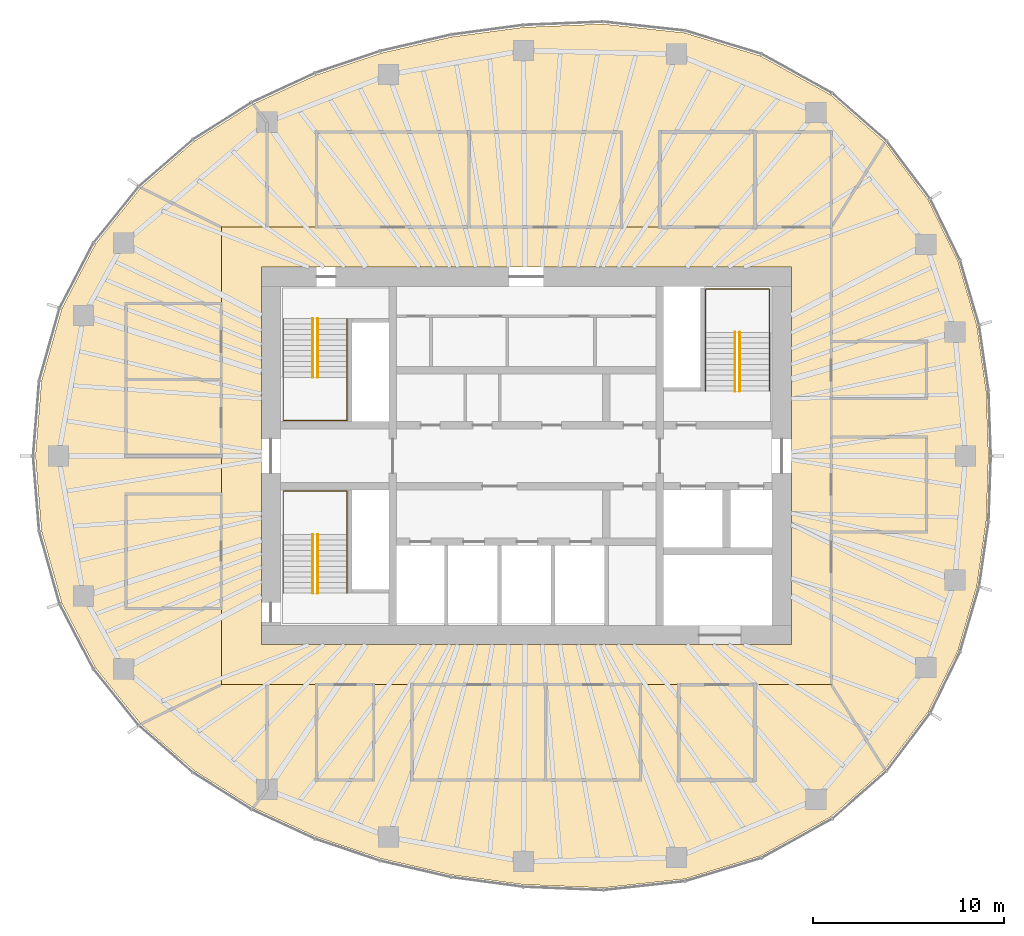
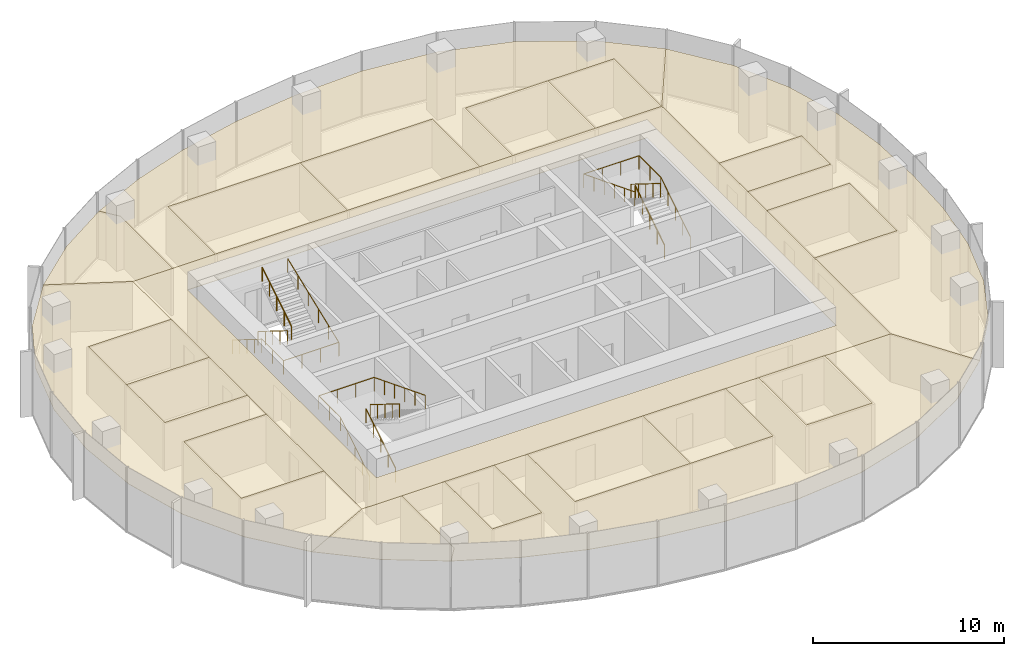
# One storey, part 12 of 12: 20 coverings, 9 railings.
"""IFC4 building model written with IfcOpenShell, lengths in metres."""

from ifc_helpers import new_model, si_unit, direction, frame, origin, origin_2d, place, context, subcontext, project, spatial, polyline, circle, outline, extrude, material, layer, layer_set, type_object, element, save


model = new_model("IFC4")

# Units and contexts
model_context = context("Model", 3, precision=1e-05, world=origin(), true_north=direction((0.0, 1.0)))
body_context = subcontext(model_context, "Body", "Model", "MODEL_VIEW")
ifc_project = project(units=[si_unit("LENGTHUNIT", "METRE"), si_unit("AREAUNIT", "SQUARE_METRE"), si_unit("VOLUMEUNIT", "CUBIC_METRE"), si_unit("PLANEANGLEUNIT", "RADIAN"), si_unit("MASSUNIT", "GRAM", prefix="KILO")], contexts=[model_context])

# Site, building, storey
site_placement = place(None, origin())
site = spatial("IfcSite", under=ifc_project, at=site_placement, CompositionType="ELEMENT")
building_placement = place(site_placement, origin())
building = spatial("IfcBuilding", under=site, at=building_placement, Name="Ghaith Harvest Tower", CompositionType="ELEMENT")
storey_placement = place(building_placement, frame((0.0, 0.0, 300.60009765625)))
storey = spatial("IfcBuildingStorey", under=building, at=storey_placement, Name="L67", CompositionType="ELEMENT", Elevation=300.60009765625)

# Coverings
ifc_material_1 = material(Name="Mineral fibre ceiling tile", Category="gypsum")
ifc_layer = layer(ifc_material_1, 0.02490234375)
ifc_layer_set = layer_set([ifc_layer], Name="CEILING C2")
covering_type = type_object("IfcCoveringType", Name="CEILING C2", PredefinedType="CEILING", material=ifc_layer_set)
covering_1_placement = place(storey_placement, frame((0.0, 0.0, 3.0)))
element("IfcCovering", 1, at=covering_1_placement, inside=storey, type_object=covering_type, Name="Ceiling L67-01", PredefinedType="CEILING", context=body_context, shape_type="SweptSolid", body=[
    extrude(outline(polyline([(-11.0, 12.0), (-3.0, 12.0), (-3.0, 17.0), (-11.0, 17.0), (-11.0, 12.0)])), origin(), (0.0, 0.0, 1.0), 0.02490234375),
])
covering_2_placement = place(storey_placement, frame((0.0, 0.0, 3.0)))
element("IfcCovering", 2, at=covering_2_placement, inside=storey, type_object=covering_type, Name="Ceiling L67-02", PredefinedType="CEILING", context=body_context, shape_type="SweptSolid", body=[
    extrude(outline(polyline([(-3.0, 12.0), (5.0, 12.0), (5.0, 17.0), (-3.0, 17.0), (-3.0, 12.0)])), origin(), (0.0, 0.0, 1.0), 0.02490234375),
])
covering_3_placement = place(storey_placement, frame((0.0, 0.0, 3.0)))
element("IfcCovering", 3, at=covering_3_placement, inside=storey, type_object=covering_type, Name="Ceiling L67-03", PredefinedType="CEILING", context=body_context, shape_type="SweptSolid", body=[
    extrude(outline(polyline([(7.0, 12.0), (12.0, 12.0), (12.0, 17.0), (7.0, 17.0), (7.0, 12.0)])), origin(), (0.0, 0.0, 1.0), 0.02490234375),
])
covering_4_placement = place(storey_placement, frame((0.0, 0.0, 3.0)))
element("IfcCovering", 4, at=covering_4_placement, inside=storey, type_object=covering_type, Name="Ceiling L67-04", PredefinedType="CEILING", context=body_context, shape_type="SweptSolid", body=[
    extrude(outline(polyline([(12.0, 12.0), (16.0, 12.0), (16.0, 17.0), (12.0, 17.0), (12.0, 12.0)])), origin(), (0.0, 0.0, 1.0), 0.02490234375),
])
covering_5_placement = place(storey_placement, frame((0.0, 0.0, 3.0)))
element("IfcCovering", 5, at=covering_5_placement, inside=storey, type_object=covering_type, Name="Ceiling L67-05", PredefinedType="CEILING", context=body_context, shape_type="SweptSolid", body=[
    extrude(outline(polyline([(-6.0, -17.0), (1.0, -17.0), (1.0, -12.0), (-6.0, -12.0), (-6.0, -17.0)])), origin(), (0.0, 0.0, 1.0), 0.02490234375),
])
covering_6_placement = place(storey_placement, frame((0.0, 0.0, 3.0)))
element("IfcCovering", 6, at=covering_6_placement, inside=storey, type_object=covering_type, Name="Ceiling L67-06", PredefinedType="CEILING", context=body_context, shape_type="SweptSolid", body=[
    extrude(outline(polyline([(1.0, -17.0), (6.0, -17.0), (6.0, -12.0), (1.0, -12.0), (1.0, -17.0)])), origin(), (0.0, 0.0, 1.0), 0.02490234375),
])
covering_7_placement = place(storey_placement, frame((0.0, 0.0, 3.0)))
element("IfcCovering", 7, at=covering_7_placement, inside=storey, type_object=covering_type, Name="Ceiling L67-07", PredefinedType="CEILING", context=body_context, shape_type="SweptSolid", body=[
    extrude(outline(polyline([(8.0, -17.0), (12.0, -17.0), (12.0, -12.0), (8.0, -12.0), (8.0, -17.0)])), origin(), (0.0, 0.0, 1.0), 0.02490234375),
])
covering_8_placement = place(storey_placement, frame((0.0, 0.0, 3.0)))
element("IfcCovering", 8, at=covering_8_placement, inside=storey, type_object=covering_type, Name="Ceiling L67-08", PredefinedType="CEILING", context=body_context, shape_type="SweptSolid", body=[
    extrude(outline(polyline([(-21.0, -8.0), (-16.0, -8.0), (-16.0, -2.0), (-21.0, -2.0), (-21.0, -8.0)])), origin(), (0.0, 0.0, 1.0), 0.02490234375),
])
covering_9_placement = place(storey_placement, frame((0.0, 0.0, 3.0)))
element("IfcCovering", 9, at=covering_9_placement, inside=storey, type_object=covering_type, Name="Ceiling L67-09", PredefinedType="CEILING", context=body_context, shape_type="SweptSolid", body=[
    extrude(outline(polyline([(16.0, -4.0), (21.0, -4.0), (21.0, 1.0), (16.0, 1.0), (16.0, -4.0)])), origin(), (0.0, 0.0, 1.0), 0.02490234375),
])
covering_10_placement = place(storey_placement, frame((0.0, 0.0, 3.0)))
element("IfcCovering", 10, at=covering_10_placement, inside=storey, type_object=covering_type, Name="Ceiling L67-10", PredefinedType="CEILING", context=body_context, shape_type="SweptSolid", body=[
    extrude(outline(polyline([(-11.0, -17.0), (-8.0, -17.0), (-8.0, -12.0), (-11.0, -12.0), (-11.0, -17.0)])), origin(), (0.0, 0.0, 1.0), 0.02490234375),
])
covering_11_placement = place(storey_placement, frame((0.0, 0.0, 3.0)))
element("IfcCovering", 11, at=covering_11_placement, inside=storey, type_object=covering_type, Name="Ceiling L67-11", PredefinedType="CEILING", context=body_context, shape_type="SweptSolid", body=[
    extrude(outline(polyline([(16.0, 3.0), (21.0, 3.0), (21.0, 6.0), (16.0, 6.0), (16.0, 3.0)])), origin(), (0.0, 0.0, 1.0), 0.02490234375),
])
covering_12_placement = place(storey_placement, frame((0.0, 0.0, 3.0)))
element("IfcCovering", 12, at=covering_12_placement, inside=storey, type_object=covering_type, Name="Ceiling L67-12", PredefinedType="CEILING", context=body_context, shape_type="SweptSolid", body=[
    extrude(outline(polyline([(-21.0, 0.0), (-16.0, 0.0), (-16.0, 4.0), (-21.0, 4.0), (-21.0, 0.0)])), origin(), (0.0, 0.0, 1.0), 0.02490234375),
])
covering_13_placement = place(storey_placement, frame((0.0, 0.0, 3.0)))
element("IfcCovering", 13, at=covering_13_placement, inside=storey, type_object=covering_type, Name="Ceiling L67-13", PredefinedType="CEILING", context=body_context, shape_type="SweptSolid", body=[
    extrude(outline(polyline([(-21.0, 4.0), (-16.0, 4.0), (-16.0, 8.0), (-21.0, 8.0), (-21.0, 4.0)])), origin(), (0.0, 0.0, 1.0), 0.02490234375),
])
covering_14_placement = place(storey_placement, frame((0.0, 0.0, 3.0)))
element("IfcCovering", 14, at=covering_14_placement, inside=storey, type_object=covering_type, Name="Ceiling L67-C1", PredefinedType="CEILING", context=body_context, shape_type="SweptSolid", body=[
    extrude(outline(polyline([(-16.0, 12.0), (16.0, 12.0), (16.0, -12.0), (-16.0, -12.0), (-16.0, 12.0)]), holes=[polyline([(-13.89990234375, 9.89990234375), (-13.89990234375, -9.89990234375), (13.89990234375, -9.89990234375), (13.89990234375, 9.89990234375), (-13.89990234375, 9.89990234375)])]), origin(), (0.0, 0.0, 1.0), 0.02490234375),
])
covering_15_placement = place(storey_placement, frame((0.0, 0.0, 3.0)))
element("IfcCovering", 15, at=covering_15_placement, inside=storey, type_object=covering_type, Name="Ceiling L67-N1", PredefinedType="CEILING", context=body_context, shape_type="SweptSolid", body=[
    extrude(outline(polyline([(-17.40771484375, 16.518310546875), (-14.331298828125, 18.452880859375), (-13.594970703125, 17.5048828125), (-13.594970703125, 12.0), (-16.0, 12.0), (-20.225830078125, 14.0732421875), (-17.40771484375, 16.518310546875)])), origin(), (0.0, 0.0, 1.0), 0.02490234375),
])
covering_16_placement = place(storey_placement, frame((0.0, 0.0, 3.0)))
element("IfcCovering", 16, at=covering_16_placement, inside=storey, type_object=covering_type, Name="Ceiling L67-N2", PredefinedType="CEILING", context=body_context, shape_type="SweptSolid", body=[
    extrude(outline(polyline([(-14.331298828125, 18.452880859375), (-14.331298828125, 18.452880859375), (-11.009521484375, 19.98779296875), (-7.6298828125, 21.12548828125), (-3.92529296875, 21.98046875), (-0.15380859375, 22.486083984375), (4.016845703125, 22.658447265625), (8.2978515625, 22.1962890625), (12.273681640625, 20.98828125), (15.971923828125, 18.940185546875), (18.810791015625, 16.4482421875), (16.0, 12.0), (16.0, 17.0), (7.0, 17.0), (7.0, 12.0), (5.0, 12.0), (5.0, 17.0), (-11.0, 17.0), (-11.0, 12.0), (-13.594970703125, 12.0), (-13.594970703125, 17.5048828125), (-14.331298828125, 18.452880859375)])), origin(), (0.0, 0.0, 1.0), 0.02490234375),
])
covering_17_placement = place(storey_placement, frame((0.0, 0.0, 3.0)))
element("IfcCovering", 17, at=covering_17_placement, inside=storey, type_object=covering_type, Name="Ceiling L67-E1", PredefinedType="CEILING", context=body_context, shape_type="SweptSolid", body=[
    extrude(outline(polyline([(21.087890625, 13.42041015625), (22.644775390625, 10.222900390625), (23.6376953125, 6.831787109375), (24.129150390625, 3.4169921875), (24.25, 0.0), (24.129150390625, -3.4169921875), (23.6376953125, -6.831787109375), (22.644775390625, -10.222900390625), (21.087890625, -13.42041015625), (18.810791015625, -16.4482421875), (16.0, -12.0), (16.0, -4.0), (21.0, -4.0), (21.0, 1.0), (16.0, 1.0), (16.0, 3.0), (21.0, 3.0), (21.0, 6.0), (16.0, 6.0), (16.0, 12.0), (18.810791015625, 16.4482421875), (21.087890625, 13.42041015625)])), origin(), (0.0, 0.0, 1.0), 0.02490234375),
])
covering_18_placement = place(storey_placement, frame((0.0, 0.0, 3.0)))
element("IfcCovering", 18, at=covering_18_placement, inside=storey, type_object=covering_type, Name="Ceiling L67-S1", PredefinedType="CEILING", context=body_context, shape_type="SweptSolid", body=[
    extrude(outline(polyline([(-20.225830078125, -14.0732421875), (-16.0, -12.0), (-13.594970703125, -12.0), (-13.594970703125, -17.5048828125), (-14.331298828125, -18.452880859375), (-17.40771484375, -16.518310546875), (-20.225830078125, -14.0732421875)])), origin(), (0.0, 0.0, 1.0), 0.02490234375),
])
covering_19_placement = place(storey_placement, frame((0.0, 0.0, 3.0)))
element("IfcCovering", 19, at=covering_19_placement, inside=storey, type_object=covering_type, Name="Ceiling L67-S2", PredefinedType="CEILING", context=body_context, shape_type="SweptSolid", body=[
    extrude(outline(polyline([(-13.594970703125, -12.0), (-11.0, -12.0), (-11.0, -17.0), (-8.0, -17.0), (-8.0, -12.0), (-6.0, -12.0), (-6.0, -17.0), (6.0, -17.0), (6.0, -12.0), (8.0, -12.0), (8.0, -17.0), (12.0, -17.0), (12.0, -12.0), (16.0, -12.0), (18.810791015625, -16.4482421875), (15.971923828125, -18.940185546875), (12.273681640625, -20.98828125), (8.2978515625, -22.1962890625), (4.016845703125, -22.658447265625), (-0.15380859375, -22.486083984375), (-3.92529296875, -21.98046875), (-7.6298828125, -21.12548828125), (-11.009521484375, -19.98779296875), (-14.331298828125, -18.452880859375), (-14.331298828125, -18.452880859375), (-13.594970703125, -17.5048828125), (-13.594970703125, -12.0)])), origin(), (0.0, 0.0, 1.0), 0.02490234375),
])
covering_20_placement = place(storey_placement, frame((0.0, 0.0, 3.0)))
element("IfcCovering", 20, at=covering_20_placement, inside=storey, type_object=covering_type, Name="Ceiling L67-W1", PredefinedType="CEILING", context=body_context, shape_type="SweptSolid", body=[
    extrude(outline(polyline([(-22.5986328125, -11.12353515625), (-24.368408203125, -7.722900390625), (-25.43310546875, -3.93359375), (-25.75, 0.0), (-25.43310546875, 3.93359375), (-24.368408203125, 7.722900390625), (-22.5986328125, 11.12353515625), (-20.225830078125, 14.0732421875), (-16.0, 12.0), (-16.0, 8.0), (-21.0, 8.0), (-21.0, 0.0), (-16.0, 0.0), (-16.0, -2.0), (-21.0, -2.0), (-21.0, -8.0), (-16.0, -8.0), (-16.0, -12.0), (-20.225830078125, -14.0732421875), (-22.5986328125, -11.12353515625)])), origin(), (0.0, 0.0, 1.0), 0.02490234375),
])

# Railings
ifc_material_2 = material(Name="Steel, black powder-coated", Category="steel")
railing_type = type_object("IfcRailingType", Name="HANDRAIL HR1", PredefinedType="HANDRAIL", material=ifc_material_2)
railing_1_placement = place(storey_placement, frame((-11.199951171875, 7.199951171875, 0.1748046875)))
element("IfcRailing", 21, at=railing_1_placement, inside=storey, type_object=railing_type, Name="Handrail HR1 stair ST1 L67 flight 1 inner", PredefinedType="HANDRAIL", context=body_context, shape_type="SweptSolid", body=[
    extrude(circle(Radius=0.02392578125, at=origin_2d()), frame((0.0, 0.0, 0.8759765625), z_axis=(0.0, -0.847979421464, 0.530029150871), x_axis=(1.0, 0.0, 0.0)), (0.0, 0.0, 1.0), 3.632080078125),
    extrude(circle(Radius=0.02099609375, at=origin_2d()), origin(), (0.0, 0.0, 1.0), 0.851806640625),
    extrude(circle(Radius=0.02099609375, at=origin_2d()), frame((0.0, -0.77001953125, 0.481201171875)), (0.0, 0.0, 1.0), 0.851806640625),
    extrude(circle(Radius=0.02099609375, at=origin_2d()), frame((0.0, -1.5400390625, 0.96240234375)), (0.0, 0.0, 1.0), 0.851806640625),
    extrude(circle(Radius=0.02099609375, at=origin_2d()), frame((0.0, -2.309814453125, 1.44384765625)), (0.0, 0.0, 1.0), 0.851806640625),
    extrude(circle(Radius=0.02099609375, at=origin_2d()), frame((0.0, -3.079833984375, 1.925048828125)), (0.0, 0.0, 1.0), 0.851806640625),
])
railing_2_placement = place(storey_placement, frame((-10.949951171875, 4.1201171875, 2.27490234375)))
element("IfcRailing", 22, at=railing_2_placement, inside=storey, type_object=railing_type, Name="Handrail HR1 stair ST1 L67 flight 2 inner", PredefinedType="HANDRAIL", context=body_context, shape_type="SweptSolid", body=[
    extrude(circle(Radius=0.02392578125, at=origin_2d()), frame((0.0, 0.0, 0.8759765625), z_axis=(0.0, 0.847979421464, 0.530029150871), x_axis=(-1.0, 0.0, 0.0)), (0.0, 0.0, 1.0), 3.632080078125),
    extrude(circle(Radius=0.02099609375, at=origin_2d()), origin(), (0.0, 0.0, 1.0), 0.851806640625),
    extrude(circle(Radius=0.02099609375, at=origin_2d()), frame((0.0, 0.77001953125, 0.481201171875)), (0.0, 0.0, 1.0), 0.851806640625),
    extrude(circle(Radius=0.02099609375, at=origin_2d()), frame((0.0, 1.5400390625, 0.96240234375)), (0.0, 0.0, 1.0), 0.851806640625),
    extrude(circle(Radius=0.02099609375, at=origin_2d()), frame((0.0, 2.309814453125, 1.44384765625)), (0.0, 0.0, 1.0), 0.851806640625),
    extrude(circle(Radius=0.02099609375, at=origin_2d()), frame((0.0, 3.079833984375, 1.925048828125)), (0.0, 0.0, 1.0), 0.851806640625),
])
railing_3_placement = place(storey_placement, frame((-12.75, 7.199951171875, 0.1748046875)))
element("IfcRailing", 23, at=railing_3_placement, inside=storey, type_object=railing_type, Name="Handrail HR1 stair ST1 L67 wall side", PredefinedType="HANDRAIL", context=body_context, shape_type="SweptSolid", body=[
    extrude(circle(Radius=0.02392578125, at=origin_2d()), frame((0.0, 0.0, 0.8759765625), z_axis=(0.0, -0.847979421464, 0.530029150871), x_axis=(1.0, 0.0, 0.0)), (0.0, 0.0, 1.0), 3.632080078125),
    extrude(circle(Radius=0.02392578125, at=origin_2d()), frame((0.0, -3.079833984375, 2.80078125), z_axis=(0.0, -1.0, 0.0), x_axis=(1.0, 0.0, 0.0)), (0.0, 0.0, 1.0), 2.27001953125),
    extrude(circle(Radius=0.02392578125, at=origin_2d()), frame((0.0, -5.349853515625, 2.80078125), z_axis=(1.0, 0.0, 0.0), x_axis=(0.0, 1.0, 0.0)), (0.0, 0.0, 1.0), 3.35009765625),
    extrude(circle(Radius=0.02392578125, at=origin_2d()), frame((3.35009765625, -5.349853515625, 2.80078125), z_axis=(0.0, 0.930848013298, 0.36540659017), x_axis=(-1.0, 0.0, 0.0)), (0.0, 0.0, 1.0), 5.747314453125),
    extrude(circle(Radius=0.02099609375, at=origin_2d()), origin(), (0.0, 0.0, 1.0), 0.851806640625),
    extrude(circle(Radius=0.02099609375, at=origin_2d()), frame((0.0, -0.77001953125, 0.481201171875)), (0.0, 0.0, 1.0), 0.851806640625),
    extrude(circle(Radius=0.02099609375, at=origin_2d()), frame((0.0, -1.5400390625, 0.96240234375)), (0.0, 0.0, 1.0), 0.851806640625),
    extrude(circle(Radius=0.02099609375, at=origin_2d()), frame((0.0, -2.309814453125, 1.44384765625)), (0.0, 0.0, 1.0), 0.851806640625),
    extrude(circle(Radius=0.02099609375, at=origin_2d()), frame((0.0, -3.079833984375, 1.925048828125)), (0.0, 0.0, 1.0), 0.851806640625),
    extrude(circle(Radius=0.02099609375, at=origin_2d()), frame((0.0, -4.21484375, 1.925048828125)), (0.0, 0.0, 1.0), 0.851806640625),
    extrude(circle(Radius=0.02099609375, at=origin_2d()), frame((0.0, -5.349853515625, 1.925048828125)), (0.0, 0.0, 1.0), 0.851806640625),
    extrude(circle(Radius=0.02099609375, at=origin_2d()), frame((1.11669921875, -5.349853515625, 1.925048828125)), (0.0, 0.0, 1.0), 0.851806640625),
    extrude(circle(Radius=0.02099609375, at=origin_2d()), frame((2.2333984375, -5.349853515625, 1.925048828125)), (0.0, 0.0, 1.0), 0.851806640625),
    extrude(circle(Radius=0.02099609375, at=origin_2d()), frame((3.35009765625, -5.349853515625, 1.925048828125)), (0.0, 0.0, 1.0), 0.851806640625),
    extrude(circle(Radius=0.02099609375, at=origin_2d()), frame((3.35009765625, -4.27978515625, 2.344970703125)), (0.0, 0.0, 1.0), 0.851806640625),
    extrude(circle(Radius=0.02099609375, at=origin_2d()), frame((3.35009765625, -3.2099609375, 2.76513671875)), (0.0, 0.0, 1.0), 0.851806640625),
    extrude(circle(Radius=0.02099609375, at=origin_2d()), frame((3.35009765625, -2.139892578125, 3.18505859375)), (0.0, 0.0, 1.0), 0.851806640625),
    extrude(circle(Radius=0.02099609375, at=origin_2d()), frame((3.35009765625, -1.070068359375, 3.605224609375)), (0.0, 0.0, 1.0), 0.851806640625),
    extrude(circle(Radius=0.02099609375, at=origin_2d()), frame((3.35009765625, 0.0, 4.025146484375)), (0.0, 0.0, 1.0), 0.851806640625),
])
railing_4_placement = place(storey_placement, frame((-11.199951171875, -7.199951171875, 0.1748046875)))
element("IfcRailing", 24, at=railing_4_placement, inside=storey, type_object=railing_type, Name="Handrail HR1 stair ST3 L67 flight 1 inner", PredefinedType="HANDRAIL", context=body_context, shape_type="SweptSolid", body=[
    extrude(circle(Radius=0.02392578125, at=origin_2d()), frame((0.0, 0.0, 0.8759765625), z_axis=(0.0, 0.847979421464, 0.530029150871), x_axis=(-1.0, 0.0, 0.0)), (0.0, 0.0, 1.0), 3.632080078125),
    extrude(circle(Radius=0.02099609375, at=origin_2d()), origin(), (0.0, 0.0, 1.0), 0.851806640625),
    extrude(circle(Radius=0.02099609375, at=origin_2d()), frame((0.0, 0.77001953125, 0.481201171875)), (0.0, 0.0, 1.0), 0.851806640625),
    extrude(circle(Radius=0.02099609375, at=origin_2d()), frame((0.0, 1.5400390625, 0.96240234375)), (0.0, 0.0, 1.0), 0.851806640625),
    extrude(circle(Radius=0.02099609375, at=origin_2d()), frame((0.0, 2.309814453125, 1.44384765625)), (0.0, 0.0, 1.0), 0.851806640625),
    extrude(circle(Radius=0.02099609375, at=origin_2d()), frame((0.0, 3.079833984375, 1.925048828125)), (0.0, 0.0, 1.0), 0.851806640625),
])
railing_5_placement = place(storey_placement, frame((-10.949951171875, -4.1201171875, 2.27490234375)))
element("IfcRailing", 25, at=railing_5_placement, inside=storey, type_object=railing_type, Name="Handrail HR1 stair ST3 L67 flight 2 inner", PredefinedType="HANDRAIL", context=body_context, shape_type="SweptSolid", body=[
    extrude(circle(Radius=0.02392578125, at=origin_2d()), frame((0.0, 0.0, 0.8759765625), z_axis=(0.0, -0.847979421464, 0.530029150871), x_axis=(1.0, 0.0, 0.0)), (0.0, 0.0, 1.0), 3.632080078125),
    extrude(circle(Radius=0.02099609375, at=origin_2d()), origin(), (0.0, 0.0, 1.0), 0.851806640625),
    extrude(circle(Radius=0.02099609375, at=origin_2d()), frame((0.0, -0.77001953125, 0.481201171875)), (0.0, 0.0, 1.0), 0.851806640625),
    extrude(circle(Radius=0.02099609375, at=origin_2d()), frame((0.0, -1.5400390625, 0.96240234375)), (0.0, 0.0, 1.0), 0.851806640625),
    extrude(circle(Radius=0.02099609375, at=origin_2d()), frame((0.0, -2.309814453125, 1.44384765625)), (0.0, 0.0, 1.0), 0.851806640625),
    extrude(circle(Radius=0.02099609375, at=origin_2d()), frame((0.0, -3.079833984375, 1.925048828125)), (0.0, 0.0, 1.0), 0.851806640625),
])
railing_6_placement = place(storey_placement, frame((-12.75, -7.199951171875, 0.1748046875)))
element("IfcRailing", 26, at=railing_6_placement, inside=storey, type_object=railing_type, Name="Handrail HR1 stair ST3 L67 wall side", PredefinedType="HANDRAIL", context=body_context, shape_type="SweptSolid", body=[
    extrude(circle(Radius=0.02392578125, at=origin_2d()), frame((0.0, 0.0, 0.8759765625), z_axis=(0.0, 0.847979421464, 0.530029150871), x_axis=(-1.0, 0.0, 0.0)), (0.0, 0.0, 1.0), 3.632080078125),
    extrude(circle(Radius=0.02392578125, at=origin_2d()), frame((0.0, 3.079833984375, 2.80078125), z_axis=(0.0, 1.0, 0.0), x_axis=(-1.0, 0.0, 0.0)), (0.0, 0.0, 1.0), 2.27001953125),
    extrude(circle(Radius=0.02392578125, at=origin_2d()), frame((0.0, 5.349853515625, 2.80078125), z_axis=(1.0, 0.0, 0.0), x_axis=(0.0, 1.0, 0.0)), (0.0, 0.0, 1.0), 3.35009765625),
    extrude(circle(Radius=0.02392578125, at=origin_2d()), frame((3.35009765625, 5.349853515625, 2.80078125), z_axis=(0.0, -0.930848013298, 0.36540659017), x_axis=(1.0, 0.0, 0.0)), (0.0, 0.0, 1.0), 5.747314453125),
    extrude(circle(Radius=0.02099609375, at=origin_2d()), origin(), (0.0, 0.0, 1.0), 0.851806640625),
    extrude(circle(Radius=0.02099609375, at=origin_2d()), frame((0.0, 0.77001953125, 0.481201171875)), (0.0, 0.0, 1.0), 0.851806640625),
    extrude(circle(Radius=0.02099609375, at=origin_2d()), frame((0.0, 1.5400390625, 0.96240234375)), (0.0, 0.0, 1.0), 0.851806640625),
    extrude(circle(Radius=0.02099609375, at=origin_2d()), frame((0.0, 2.309814453125, 1.44384765625)), (0.0, 0.0, 1.0), 0.851806640625),
    extrude(circle(Radius=0.02099609375, at=origin_2d()), frame((0.0, 3.079833984375, 1.925048828125)), (0.0, 0.0, 1.0), 0.851806640625),
    extrude(circle(Radius=0.02099609375, at=origin_2d()), frame((0.0, 4.21484375, 1.925048828125)), (0.0, 0.0, 1.0), 0.851806640625),
    extrude(circle(Radius=0.02099609375, at=origin_2d()), frame((0.0, 5.349853515625, 1.925048828125)), (0.0, 0.0, 1.0), 0.851806640625),
    extrude(circle(Radius=0.02099609375, at=origin_2d()), frame((1.11669921875, 5.349853515625, 1.925048828125)), (0.0, 0.0, 1.0), 0.851806640625),
    extrude(circle(Radius=0.02099609375, at=origin_2d()), frame((2.2333984375, 5.349853515625, 1.925048828125)), (0.0, 0.0, 1.0), 0.851806640625),
    extrude(circle(Radius=0.02099609375, at=origin_2d()), frame((3.35009765625, 5.349853515625, 1.925048828125)), (0.0, 0.0, 1.0), 0.851806640625),
    extrude(circle(Radius=0.02099609375, at=origin_2d()), frame((3.35009765625, 4.27978515625, 2.344970703125)), (0.0, 0.0, 1.0), 0.851806640625),
    extrude(circle(Radius=0.02099609375, at=origin_2d()), frame((3.35009765625, 3.2099609375, 2.76513671875)), (0.0, 0.0, 1.0), 0.851806640625),
    extrude(circle(Radius=0.02099609375, at=origin_2d()), frame((3.35009765625, 2.139892578125, 3.18505859375)), (0.0, 0.0, 1.0), 0.851806640625),
    extrude(circle(Radius=0.02099609375, at=origin_2d()), frame((3.35009765625, 1.070068359375, 3.605224609375)), (0.0, 0.0, 1.0), 0.851806640625),
    extrude(circle(Radius=0.02099609375, at=origin_2d()), frame((3.35009765625, 0.0, 4.025146484375)), (0.0, 0.0, 1.0), 0.851806640625),
])
railing_7_placement = place(storey_placement, frame((11.199951171875, 3.39990234375, 0.1748046875)))
element("IfcRailing", 27, at=railing_7_placement, inside=storey, type_object=railing_type, Name="Handrail HR1 stair ST2 L67 flight 1 inner", PredefinedType="HANDRAIL", context=body_context, shape_type="SweptSolid", body=[
    extrude(circle(Radius=0.02392578125, at=origin_2d()), frame((0.0, 0.0, 0.8759765625), z_axis=(0.0, 0.847998304005, 0.529998940003), x_axis=(-1.0, 0.0, 0.0)), (0.0, 0.0, 1.0), 3.632080078125),
    extrude(circle(Radius=0.02099609375, at=origin_2d()), origin(), (0.0, 0.0, 1.0), 0.851806640625),
    extrude(circle(Radius=0.02099609375, at=origin_2d()), frame((0.0, 0.77001953125, 0.481201171875)), (0.0, 0.0, 1.0), 0.851806640625),
    extrude(circle(Radius=0.02099609375, at=origin_2d()), frame((0.0, 1.5400390625, 0.96240234375)), (0.0, 0.0, 1.0), 0.851806640625),
    extrude(circle(Radius=0.02099609375, at=origin_2d()), frame((0.0, 2.31005859375, 1.44384765625)), (0.0, 0.0, 1.0), 0.851806640625),
    extrude(circle(Radius=0.02099609375, at=origin_2d()), frame((0.0, 3.080078125, 1.925048828125)), (0.0, 0.0, 1.0), 0.851806640625),
])
railing_8_placement = place(storey_placement, frame((10.949951171875, 6.47998046875, 2.27490234375)))
element("IfcRailing", 28, at=railing_8_placement, inside=storey, type_object=railing_type, Name="Handrail HR1 stair ST2 L67 flight 2 inner", PredefinedType="HANDRAIL", context=body_context, shape_type="SweptSolid", body=[
    extrude(circle(Radius=0.02392578125, at=origin_2d()), frame((0.0, 0.0, 0.8759765625), z_axis=(0.0, -0.847998304005, 0.529998940003), x_axis=(1.0, 0.0, 0.0)), (0.0, 0.0, 1.0), 3.632080078125),
    extrude(circle(Radius=0.02099609375, at=origin_2d()), origin(), (0.0, 0.0, 1.0), 0.851806640625),
    extrude(circle(Radius=0.02099609375, at=origin_2d()), frame((0.0, -0.77001953125, 0.481201171875)), (0.0, 0.0, 1.0), 0.851806640625),
    extrude(circle(Radius=0.02099609375, at=origin_2d()), frame((0.0, -1.5400390625, 0.96240234375)), (0.0, 0.0, 1.0), 0.851806640625),
    extrude(circle(Radius=0.02099609375, at=origin_2d()), frame((0.0, -2.31005859375, 1.44384765625)), (0.0, 0.0, 1.0), 0.851806640625),
    extrude(circle(Radius=0.02099609375, at=origin_2d()), frame((0.0, -3.080078125, 1.925048828125)), (0.0, 0.0, 1.0), 0.851806640625),
])
railing_9_placement = place(storey_placement, frame((12.75, 3.39990234375, 0.1748046875)))
element("IfcRailing", 29, at=railing_9_placement, inside=storey, type_object=railing_type, Name="Handrail HR1 stair ST2 L67 wall side", PredefinedType="HANDRAIL", context=body_context, shape_type="SweptSolid", body=[
    extrude(circle(Radius=0.02392578125, at=origin_2d()), frame((0.0, 0.0, 0.8759765625), z_axis=(0.0, 0.847998304005, 0.529998940003), x_axis=(-1.0, 0.0, 0.0)), (0.0, 0.0, 1.0), 3.632080078125),
    extrude(circle(Radius=0.02392578125, at=origin_2d()), frame((0.0, 3.080078125, 2.80078125), z_axis=(0.0, 1.0, 0.0), x_axis=(-1.0, 0.0, 0.0)), (0.0, 0.0, 1.0), 2.27001953125),
    extrude(circle(Radius=0.02392578125, at=origin_2d()), frame((0.0, 5.35009765625, 2.80078125), z_axis=(-1.0, 0.0, 0.0), x_axis=(0.0, -1.0, 0.0)), (0.0, 0.0, 1.0), 3.35009765625),
    extrude(circle(Radius=0.02392578125, at=origin_2d()), frame((-3.35009765625, 5.35009765625, 2.80078125), z_axis=(0.0, -0.930853684876, 0.365392141887), x_axis=(1.0, 0.0, 0.0)), (0.0, 0.0, 1.0), 5.74755859375),
    extrude(circle(Radius=0.02099609375, at=origin_2d()), origin(), (0.0, 0.0, 1.0), 0.851806640625),
    extrude(circle(Radius=0.02099609375, at=origin_2d()), frame((0.0, 0.77001953125, 0.481201171875)), (0.0, 0.0, 1.0), 0.851806640625),
    extrude(circle(Radius=0.02099609375, at=origin_2d()), frame((0.0, 1.5400390625, 0.96240234375)), (0.0, 0.0, 1.0), 0.851806640625),
    extrude(circle(Radius=0.02099609375, at=origin_2d()), frame((0.0, 2.31005859375, 1.44384765625)), (0.0, 0.0, 1.0), 0.851806640625),
    extrude(circle(Radius=0.02099609375, at=origin_2d()), frame((0.0, 3.080078125, 1.925048828125)), (0.0, 0.0, 1.0), 0.851806640625),
    extrude(circle(Radius=0.02099609375, at=origin_2d()), frame((0.0, 4.215087890625, 1.925048828125)), (0.0, 0.0, 1.0), 0.851806640625),
    extrude(circle(Radius=0.02099609375, at=origin_2d()), frame((0.0, 5.35009765625, 1.925048828125)), (0.0, 0.0, 1.0), 0.851806640625),
    extrude(circle(Radius=0.02099609375, at=origin_2d()), frame((-1.11669921875, 5.35009765625, 1.925048828125)), (0.0, 0.0, 1.0), 0.851806640625),
    extrude(circle(Radius=0.02099609375, at=origin_2d()), frame((-2.2333984375, 5.35009765625, 1.925048828125)), (0.0, 0.0, 1.0), 0.851806640625),
    extrude(circle(Radius=0.02099609375, at=origin_2d()), frame((-3.35009765625, 5.35009765625, 1.925048828125)), (0.0, 0.0, 1.0), 0.851806640625),
    extrude(circle(Radius=0.02099609375, at=origin_2d()), frame((-3.35009765625, 4.280029296875, 2.344970703125)), (0.0, 0.0, 1.0), 0.851806640625),
    extrude(circle(Radius=0.02099609375, at=origin_2d()), frame((-3.35009765625, 3.2099609375, 2.76513671875)), (0.0, 0.0, 1.0), 0.851806640625),
    extrude(circle(Radius=0.02099609375, at=origin_2d()), frame((-3.35009765625, 2.14013671875, 3.18505859375)), (0.0, 0.0, 1.0), 0.851806640625),
    extrude(circle(Radius=0.02099609375, at=origin_2d()), frame((-3.35009765625, 1.070068359375, 3.605224609375)), (0.0, 0.0, 1.0), 0.851806640625),
    extrude(circle(Radius=0.02099609375, at=origin_2d()), frame((-3.35009765625, 0.0, 4.025146484375)), (0.0, 0.0, 1.0), 0.851806640625),
])

save(model, "model.ifc")
